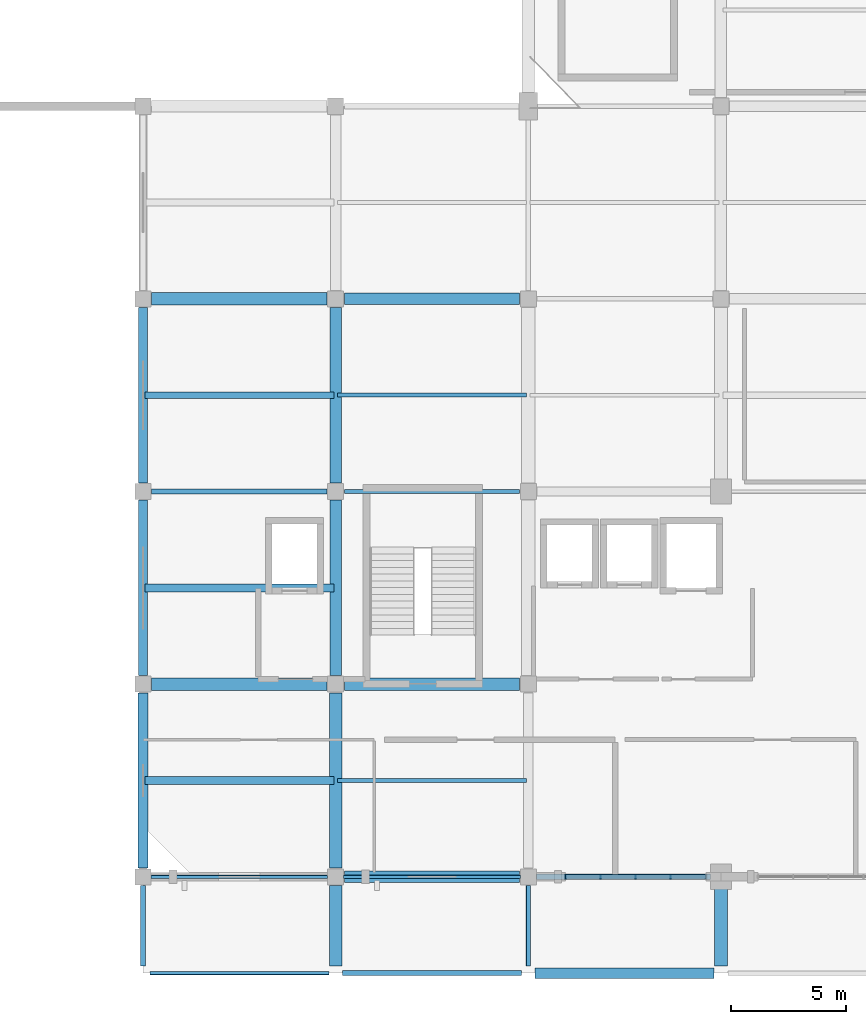
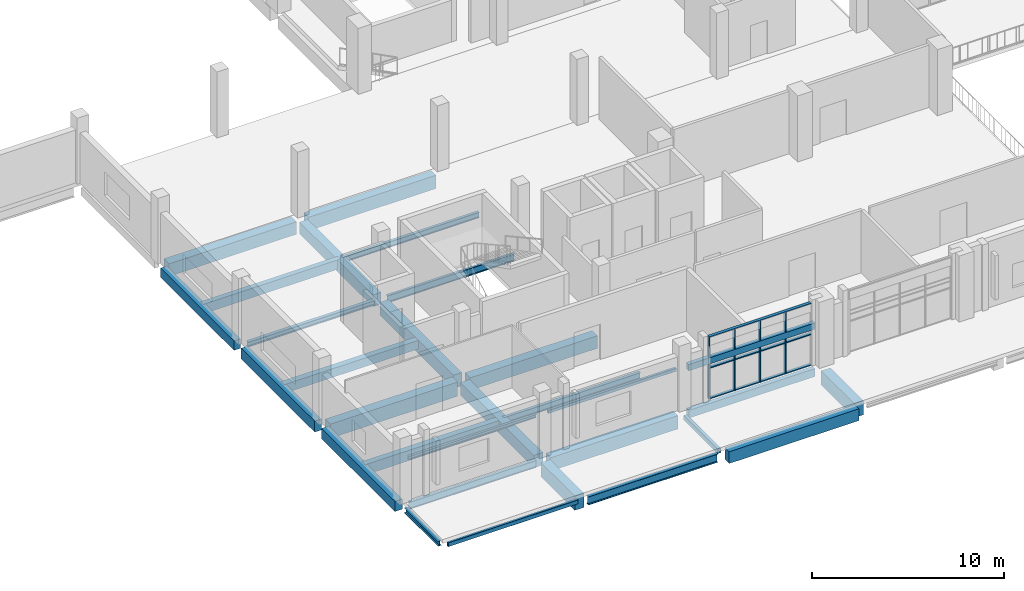
# One storey, part 9 of 59: 30 beams, 7 members, 1 element without a shape of its own.
"""IFC4 building model written with IfcOpenShell, lengths in metres."""

from ifc_helpers import new_model, si_unit, derived_unit, direction, frame, origin, origin_2d, place, context, subcontext, project, spatial, rectangle, hollow_rectangle, i_section, extrude, material, material_profile, profile_set, type_object, element, aggregate, save


model = new_model("IFC4")

# Units and contexts
model_context = context("Model", 3, precision=1e-05, world=origin(), true_north=direction((0.0, 1.0)))
body_context = subcontext(model_context, "Body", "Model", "MODEL_VIEW")
ifc_project = project(units=[si_unit("LENGTHUNIT", "METRE"), si_unit("AREAUNIT", "SQUARE_METRE"), si_unit("VOLUMEUNIT", "CUBIC_METRE"), si_unit("PLANEANGLEUNIT", "RADIAN"), si_unit("MASSUNIT", "GRAM", prefix="KILO"), derived_unit("THERMALTRANSMITTANCEUNIT", [(si_unit("POWERUNIT", "WATT"), 1), (si_unit("LENGTHUNIT", "METRE"), -2), (si_unit("THERMODYNAMICTEMPERATUREUNIT", "KELVIN"), -1)])], contexts=[model_context])

# Site, building, storey
site_placement = place(None, origin())
site = spatial("IfcSite", under=ifc_project, at=site_placement, CompositionType="ELEMENT")
building_placement = place(site_placement, origin())
building = spatial("IfcBuilding", under=site, at=building_placement, Name="Barrovel Congress Hotel", CompositionType="ELEMENT")
storey_placement = place(building_placement, frame((0.0, 0.0, 9.89990234375)))
storey = spatial("IfcBuildingStorey", under=building, at=storey_placement, Name="L02", CompositionType="ELEMENT", Elevation=9.89990234375)

# Beams
ifc_material_1 = material(Name="Concrete C40", Category="concrete")
ifc_material_profile_1 = material_profile(ifc_material_1, rectangle(XDim=0.25, YDim=0.39990234375, at=origin_2d()), Name="RC250x400")
ifc_profile_set_1 = profile_set([ifc_material_profile_1], Name="Concrete C40")
beam_type_1 = type_object("IfcBeamType", Name="BM-RC250x400", PredefinedType="LINTEL", material=ifc_profile_set_1)
beam_1_placement = place(storey_placement, frame((33.949951171875, 4.199951171875, 2.4501953125), z_axis=(1.0, 0.0, 0.0), x_axis=(0.0, 1.0, 0.0)))
element("IfcBeam", 1, at=beam_1_placement, inside=storey, type_object=beam_type_1, Name="LIN:L02:33.6-42.0", PredefinedType="LINTEL", context=body_context, shape_type="SweptSolid", body=[
    extrude(rectangle(XDim=0.25, YDim=0.39990234375, at=origin_2d()), origin(), (0.0, 0.0, 1.0), 7.60009765625),
])
ifc_material_profile_2 = material_profile(ifc_material_1, rectangle(XDim=0.25, YDim=0.5, at=origin_2d()), Name="RC250x500")
ifc_profile_set_2 = profile_set([ifc_material_profile_2], Name="Concrete C40")
beam_type_2 = type_object("IfcBeamType", Name="BM-RC250x500", PredefinedType="SPANDREL", material=ifc_profile_set_2)
beam_2_placement = place(storey_placement, frame((33.97509765625, 4.199951171875, -0.510009765625), z_axis=(1.0, 0.0, 0.0), x_axis=(0.0, 1.0, 0.0)))
element("IfcBeam", 2, at=beam_2_placement, inside=storey, type_object=beam_type_2, Name="BMX:L02:4.2:33.6-42.0", PredefinedType="SPANDREL", context=body_context, shape_type="SweptSolid", body=[
    extrude(rectangle(XDim=0.25, YDim=0.5, at=origin_2d()), origin(), (0.0, 0.0, 1.0), 7.574951171875),
])
ifc_material_profile_3 = material_profile(ifc_material_1, rectangle(XDim=0.300048828125, YDim=0.60009765625, at=origin_2d()), Name="RC300x600")
ifc_profile_set_3 = profile_set([ifc_material_profile_3], Name="Concrete C40")
beam_type_3 = type_object("IfcBeamType", Name="BM-RC300x600", PredefinedType="JOIST", material=ifc_profile_set_3)
beam_3_placement = place(storey_placement, frame((16.8798828125, 25.199951171875, -0.559814453125), z_axis=(1.0, 0.0, 0.0), x_axis=(0.0, 1.0, 0.0)))
element("IfcBeam", 3, at=beam_3_placement, inside=storey, type_object=beam_type_3, Name="JST:L02:16.8:25.2", PredefinedType="JOIST", context=body_context, shape_type="SweptSolid", body=[
    extrude(rectangle(XDim=0.300048828125, YDim=0.60009765625, at=origin_2d()), origin(), (0.0, 0.0, 1.0), 8.240234375),
])
ifc_material_profile_4 = material_profile(ifc_material_1, rectangle(XDim=0.35009765625, YDim=0.550048828125, at=origin_2d()), Name="RC350x550")
ifc_profile_set_4 = profile_set([ifc_material_profile_4], Name="Concrete C40")
beam_type_4 = type_object("IfcBeamType", Name="BM-RC350x550", PredefinedType="JOIST", material=ifc_profile_set_4)
beam_4_placement = place(storey_placement, frame((16.8798828125, 16.800048828125, -0.534912109375), z_axis=(1.0, 0.0, 0.0), x_axis=(0.0, 1.0, 0.0)))
element("IfcBeam", 4, at=beam_4_placement, inside=storey, type_object=beam_type_4, Name="JST:L02:16.8:16.8", PredefinedType="JOIST", context=body_context, shape_type="SweptSolid", body=[
    extrude(rectangle(XDim=0.35009765625, YDim=0.550048828125, at=origin_2d()), origin(), (0.0, 0.0, 1.0), 8.240234375),
])
ifc_material_profile_5 = material_profile(ifc_material_1, rectangle(XDim=0.35009765625, YDim=0.64990234375, at=origin_2d()), Name="RC350x650")
ifc_profile_set_5 = profile_set([ifc_material_profile_5], Name="Concrete C40")
beam_type_5 = type_object("IfcBeamType", Name="BM-RC350x650", PredefinedType="JOIST", material=ifc_profile_set_5)
beam_5_placement = place(storey_placement, frame((16.8798828125, 8.39990234375, -0.5849609375), z_axis=(1.0, 0.0, 0.0), x_axis=(0.0, 1.0, 0.0)))
element("IfcBeam", 5, at=beam_5_placement, inside=storey, type_object=beam_type_5, Name="JST:L02:16.8:8.4", PredefinedType="JOIST", context=body_context, shape_type="SweptSolid", body=[
    extrude(rectangle(XDim=0.35009765625, YDim=0.64990234375, at=origin_2d()), origin(), (0.0, 0.0, 1.0), 8.240234375),
])
ifc_material_profile_6 = material_profile(ifc_material_1, rectangle(XDim=0.39990234375, YDim=0.60009765625, at=origin_2d()), Name="RC400x600")
ifc_profile_set_6 = profile_set([ifc_material_profile_6], Name="Concrete C40")
beam_type_6 = type_object("IfcBeamType", Name="BM-RC400x600", PredefinedType="BEAM", material=ifc_profile_set_6)
beam_6_placement = place(storey_placement, frame((16.800048828125, 21.375, -0.559814453125), z_axis=(0.0, 1.0, 0.0), x_axis=(-1.0, 0.0, 0.0)))
element("IfcBeam", 6, at=beam_6_placement, inside=storey, type_object=beam_type_6, Name="BMY:L02:16.8:21.0-29.4", PredefinedType="BEAM", context=body_context, shape_type="SweptSolid", body=[
    extrude(rectangle(XDim=0.39990234375, YDim=0.60009765625, at=origin_2d()), origin(), (0.0, 0.0, 1.0), 7.64990234375),
])
ifc_material_profile_7 = material_profile(ifc_material_1, rectangle(XDim=0.39990234375, YDim=0.699951171875, at=origin_2d()), Name="RC400x700")
ifc_profile_set_7 = profile_set([ifc_material_profile_7], Name="Concrete C40")
beam_type_7 = type_object("IfcBeamType", Name="BM-RC400x700", PredefinedType="BEAM", material=ifc_profile_set_7)
beam_7_placement = place(storey_placement, frame((16.800048828125, 12.97509765625, -0.60986328125), z_axis=(0.0, 1.0, 0.0), x_axis=(-1.0, 0.0, 0.0)))
element("IfcBeam", 7, at=beam_7_placement, inside=storey, type_object=beam_type_7, Name="BMY:L02:16.8:12.6-21.0", PredefinedType="BEAM", context=body_context, shape_type="SweptSolid", body=[
    extrude(rectangle(XDim=0.39990234375, YDim=0.699951171875, at=origin_2d()), origin(), (0.0, 0.0, 1.0), 7.64990234375),
])
ifc_material_profile_8 = material_profile(ifc_material_1, rectangle(XDim=0.449951171875, YDim=0.64990234375, at=origin_2d()), Name="RC450x650")
ifc_profile_set_8 = profile_set([ifc_material_profile_8], Name="Concrete C40")
beam_type_8 = type_object("IfcBeamType", Name="BM-RC450x650", PredefinedType="BEAM", material=ifc_profile_set_8)
beam_8_placement = place(storey_placement, frame((16.800048828125, 4.574951171875, -0.5849609375), z_axis=(0.0, 1.0, 0.0), x_axis=(-1.0, 0.0, 0.0)))
element("IfcBeam", 8, at=beam_8_placement, inside=storey, type_object=beam_type_8, Name="BMY:L02:16.8:4.2-12.6", PredefinedType="BEAM", context=body_context, shape_type="SweptSolid", body=[
    extrude(rectangle(XDim=0.449951171875, YDim=0.64990234375, at=origin_2d()), origin(), (0.0, 0.0, 1.0), 7.650146484375),
])
ifc_material_profile_9 = material_profile(ifc_material_1, rectangle(XDim=0.449951171875, YDim=0.75, at=origin_2d()), Name="RC450x750")
ifc_profile_set_9 = profile_set([ifc_material_profile_9], Name="Concrete C40")
beam_type_9 = type_object("IfcBeamType", Name="BM-RC450x750", PredefinedType="BEAM", material=ifc_profile_set_9)
beam_9_placement = place(storey_placement, frame((33.89990234375, 0.0, -0.635009765625), z_axis=(1.0, 0.0, 0.0), x_axis=(0.0, 1.0, 0.0)))
element("IfcBeam", 9, at=beam_9_placement, inside=storey, type_object=beam_type_9, Name="BMX:L02:0.0:33.6-42.0", PredefinedType="BEAM", context=body_context, shape_type="SweptSolid", body=[
    extrude(rectangle(XDim=0.449951171875, YDim=0.75, at=origin_2d()), origin(), (0.0, 0.0, 1.0), 7.800048828125),
])
ifc_material_profile_10 = material_profile(ifc_material_1, rectangle(XDim=0.5, YDim=0.75, at=origin_2d()), Name="RC500x750")
ifc_profile_set_10 = profile_set([ifc_material_profile_10], Name="Concrete C40")
beam_type_10 = type_object("IfcBeamType", Name="BM-RC500x750", PredefinedType="BEAM", material=ifc_profile_set_10)
beam_10_placement = place(storey_placement, frame((25.199951171875, 21.375, -0.635009765625), z_axis=(0.0, 1.0, 0.0), x_axis=(-1.0, 0.0, 0.0)))
element("IfcBeam", 10, at=beam_10_placement, inside=storey, type_object=beam_type_10, Name="BMY:L02:25.2:21.0-29.4", PredefinedType="BEAM", context=body_context, shape_type="SweptSolid", body=[
    extrude(rectangle(XDim=0.5, YDim=0.75, at=origin_2d()), origin(), (0.0, 0.0, 1.0), 7.64990234375),
])
ifc_material_profile_11 = material_profile(ifc_material_1, rectangle(XDim=0.5, YDim=0.85009765625, at=origin_2d()), Name="RC500x850")
ifc_profile_set_11 = profile_set([ifc_material_profile_11], Name="Concrete C40")
beam_type_11 = type_object("IfcBeamType", Name="BM-RC500x850", PredefinedType="BEAM", material=ifc_profile_set_11)
for number, where, z_axis, x_axis, name in (
    (11, (25.574951171875, 4.199951171875, -0.684814453125), (1.0, 0.0, 0.0), (0.0, 1.0, 0.0), "BMX:L02:4.2:25.2-33.6"),
    (12, (25.574951171875, 29.39990234375, -0.684814453125), (1.0, 0.0, 0.0), (0.0, 1.0, 0.0), "BMX:L02:29.4:25.2-33.6"),
):
    element("IfcBeam", number, at=place(storey_placement, frame(where, z_axis=z_axis, x_axis=x_axis)), inside=storey, type_object=beam_type_11, Name=name, PredefinedType="BEAM", context=body_context, shape_type="SweptSolid", body=[
        extrude(rectangle(XDim=0.5, YDim=0.85009765625, at=origin_2d()), origin(), (0.0, 0.0, 1.0), 7.650146484375),
    ])
beam_11_placement = place(storey_placement, frame((25.199951171875, 12.97509765625, -0.684814453125), z_axis=(0.0, 1.0, 0.0), x_axis=(-1.0, 0.0, 0.0)))
element("IfcBeam", 13, at=beam_11_placement, inside=storey, type_object=beam_type_11, Name="BMY:L02:25.2:12.6-21.0", PredefinedType="BEAM", context=body_context, shape_type="SweptSolid", body=[
    extrude(rectangle(XDim=0.5, YDim=0.85009765625, at=origin_2d()), origin(), (0.0, 0.0, 1.0), 7.64990234375),
])
ifc_material_profile_12 = material_profile(ifc_material_1, rectangle(XDim=0.550048828125, YDim=0.800048828125, at=origin_2d()), Name="RC550x800")
ifc_profile_set_12 = profile_set([ifc_material_profile_12], Name="Concrete C40")
beam_type_12 = type_object("IfcBeamType", Name="BM-RC550x800", PredefinedType="BEAM", material=ifc_profile_set_12)
beam_12_placement = place(storey_placement, frame((25.574951171875, 12.60009765625, -0.659912109375), z_axis=(1.0, 0.0, 0.0), x_axis=(0.0, 1.0, 0.0)))
element("IfcBeam", 14, at=beam_12_placement, inside=storey, type_object=beam_type_12, Name="BMX:L02:12.6:25.2-33.6", PredefinedType="BEAM", context=body_context, shape_type="SweptSolid", body=[
    extrude(rectangle(XDim=0.550048828125, YDim=0.800048828125, at=origin_2d()), origin(), (0.0, 0.0, 1.0), 7.650146484375),
])
beam_13_placement = place(storey_placement, frame((17.175048828125, 29.39990234375, -0.659912109375), z_axis=(1.0, 0.0, 0.0), x_axis=(0.0, 1.0, 0.0)))
element("IfcBeam", 15, at=beam_13_placement, inside=storey, type_object=beam_type_12, Name="BMX:L02:29.4:16.8-25.2", PredefinedType="BEAM", context=body_context, shape_type="SweptSolid", body=[
    extrude(rectangle(XDim=0.550048828125, YDim=0.800048828125, at=origin_2d()), origin(), (0.0, 0.0, 1.0), 7.64990234375),
])
beam_14_placement = place(storey_placement, frame((25.199951171875, 4.574951171875, -0.659912109375), z_axis=(0.0, 1.0, 0.0), x_axis=(-1.0, 0.0, 0.0)))
element("IfcBeam", 16, at=beam_14_placement, inside=storey, type_object=beam_type_12, Name="BMY:L02:25.2:4.2-12.6", PredefinedType="BEAM", context=body_context, shape_type="SweptSolid", body=[
    extrude(rectangle(XDim=0.550048828125, YDim=0.800048828125, at=origin_2d()), origin(), (0.0, 0.0, 1.0), 7.650146484375),
])
ifc_material_profile_13 = material_profile(ifc_material_1, rectangle(XDim=0.550048828125, YDim=0.89990234375, at=origin_2d()), Name="RC550x900")
ifc_profile_set_13 = profile_set([ifc_material_profile_13], Name="Concrete C40")
beam_type_13 = type_object("IfcBeamType", Name="BM-RC550x900", PredefinedType="BEAM", material=ifc_profile_set_13)
beam_15_placement = place(storey_placement, frame((17.175048828125, 12.60009765625, -0.7099609375), z_axis=(1.0, 0.0, 0.0), x_axis=(0.0, 1.0, 0.0)))
element("IfcBeam", 17, at=beam_15_placement, inside=storey, type_object=beam_type_13, Name="BMX:L02:12.6:16.8-25.2", PredefinedType="BEAM", context=body_context, shape_type="SweptSolid", body=[
    extrude(rectangle(XDim=0.550048828125, YDim=0.89990234375, at=origin_2d()), origin(), (0.0, 0.0, 1.0), 7.64990234375),
])
beam_16_placement = place(storey_placement, frame((25.199951171875, 0.300048828125, -0.7099609375), z_axis=(0.0, 1.0, 0.0), x_axis=(-1.0, 0.0, 0.0)))
element("IfcBeam", 18, at=beam_16_placement, inside=storey, type_object=beam_type_13, Name="BMY:L02:25.2:0.0-4.2", PredefinedType="BEAM", context=body_context, shape_type="SweptSolid", body=[
    extrude(rectangle(XDim=0.550048828125, YDim=0.89990234375, at=origin_2d()), origin(), (0.0, 0.0, 1.0), 3.52490234375),
])
beam_17_placement = place(storey_placement, frame((42.0, 0.300048828125, -0.7099609375), z_axis=(0.0, 1.0, 0.0), x_axis=(-1.0, 0.0, 0.0)))
element("IfcBeam", 19, at=beam_17_placement, inside=storey, type_object=beam_type_13, Name="BMY:L02:42.0:0.0-4.2", PredefinedType="BEAM", context=body_context, shape_type="SweptSolid", body=[
    extrude(rectangle(XDim=0.550048828125, YDim=0.89990234375, at=origin_2d()), origin(), (0.0, 0.0, 1.0), 3.449951171875),
])

# Curtain wall, members
ifc_material_2 = material(Name="Anodised Aluminium Alloy 6063-T6", Category="aluminium")
curtain_wall_type = type_object("IfcCurtainWallType", Name="CW-ST-7200x3600", PredefinedType="USERDEFINED", material=ifc_material_2)
curtain_wall_placement = place(storey_placement, origin())
curtain_wall = element("IfcCurtainWall", 20, at=curtain_wall_placement, inside=storey, type_object=curtain_wall_type, Name="CW:L02:S:04", ObjectType="STICK CURTAIN WALL", PredefinedType="USERDEFINED")
ifc_material_profile_14 = material_profile(ifc_material_2, rectangle(XDim=0.06494140625, YDim=0.219970703125, at=origin_2d()), Name="AL-M65x220")
ifc_profile_set_14 = profile_set([ifc_material_profile_14], Name="Anodised Aluminium Alloy 6063-T6")
member_type_1 = type_object("IfcMemberType", Name="CWM-AL-M65x220", PredefinedType="MULLION", material=ifc_profile_set_14)
member_1_placement = place(storey_placement, frame((35.219970703125, 4.199951171875, 0.0), z_axis=(0.0, 0.0, 1.0), x_axis=(1.0, 0.0, 0.0)))
member_1 = element("IfcMember", 21, at=member_1_placement, type_object=member_type_1, Name="CW:L02:S:04:M0", PredefinedType="MULLION", context=body_context, shape_type="SweptSolid", body=[
    extrude(rectangle(XDim=0.06494140625, YDim=0.219970703125, at=origin_2d()), origin(), (0.0, 0.0, 1.0), 3.920166015625),
])
member_2_placement = place(storey_placement, frame((36.75, 4.199951171875, 0.0), z_axis=(0.0, 0.0, 1.0), x_axis=(1.0, 0.0, 0.0)))
member_2 = element("IfcMember", 22, at=member_2_placement, type_object=member_type_1, Name="CW:L02:S:04:M1", PredefinedType="MULLION", context=body_context, shape_type="SweptSolid", body=[
    extrude(rectangle(XDim=0.06494140625, YDim=0.219970703125, at=origin_2d()), origin(), (0.0, 0.0, 1.0), 3.920166015625),
])
member_3_placement = place(storey_placement, frame((38.280029296875, 4.199951171875, 0.0), z_axis=(0.0, 0.0, 1.0), x_axis=(1.0, 0.0, 0.0)))
member_3 = element("IfcMember", 23, at=member_3_placement, type_object=member_type_1, Name="CW:L02:S:04:M2", PredefinedType="MULLION", context=body_context, shape_type="SweptSolid", body=[
    extrude(rectangle(XDim=0.06494140625, YDim=0.219970703125, at=origin_2d()), origin(), (0.0, 0.0, 1.0), 3.920166015625),
])
member_4_placement = place(storey_placement, frame((39.81005859375, 4.199951171875, 0.0), z_axis=(0.0, 0.0, 1.0), x_axis=(1.0, 0.0, 0.0)))
member_4 = element("IfcMember", 24, at=member_4_placement, type_object=member_type_1, Name="CW:L02:S:04:M3", PredefinedType="MULLION", context=body_context, shape_type="SweptSolid", body=[
    extrude(rectangle(XDim=0.06494140625, YDim=0.219970703125, at=origin_2d()), origin(), (0.0, 0.0, 1.0), 3.920166015625),
])
ifc_material_profile_15 = material_profile(ifc_material_2, rectangle(XDim=0.179931640625, YDim=0.06494140625, at=origin_2d()), Name="AL-T65x180")
ifc_profile_set_15 = profile_set([ifc_material_profile_15], Name="Anodised Aluminium Alloy 6063-T6")
member_type_2 = type_object("IfcMemberType", Name="CWT-AL-T65x180", PredefinedType="USERDEFINED", material=ifc_profile_set_15)
member_5_placement = place(storey_placement, frame((35.219970703125, 4.199951171875, 0.0), z_axis=(1.0, 0.0, 0.0), x_axis=(0.0, 1.0, 0.0)))
member_5 = element("IfcMember", 25, at=member_5_placement, type_object=member_type_2, Name="CW:L02:S:04:T0", ObjectType="TRANSOM", PredefinedType="USERDEFINED", context=body_context, shape_type="SweptSolid", body=[
    extrude(rectangle(XDim=0.179931640625, YDim=0.06494140625, at=origin_2d()), origin(), (0.0, 0.0, 1.0), 6.1201171875),
])
member_6_placement = place(storey_placement, frame((35.219970703125, 4.199951171875, 1.960205078125), z_axis=(1.0, 0.0, 0.0), x_axis=(0.0, 1.0, 0.0)))
member_6 = element("IfcMember", 26, at=member_6_placement, type_object=member_type_2, Name="CW:L02:S:04:T1", ObjectType="TRANSOM", PredefinedType="USERDEFINED", context=body_context, shape_type="SweptSolid", body=[
    extrude(rectangle(XDim=0.179931640625, YDim=0.06494140625, at=origin_2d()), origin(), (0.0, 0.0, 1.0), 6.1201171875),
])
member_7_placement = place(storey_placement, frame((35.219970703125, 4.199951171875, 3.920166015625), z_axis=(1.0, 0.0, 0.0), x_axis=(0.0, 1.0, 0.0)))
member_7 = element("IfcMember", 27, at=member_7_placement, type_object=member_type_2, Name="CW:L02:S:04:T2", ObjectType="TRANSOM", PredefinedType="USERDEFINED", context=body_context, shape_type="SweptSolid", body=[
    extrude(rectangle(XDim=0.179931640625, YDim=0.06494140625, at=origin_2d()), origin(), (0.0, 0.0, 1.0), 6.1201171875),
])
aggregate(curtain_wall, [member_1, member_2, member_3, member_4, member_5, member_6, member_7])

# Beams
ifc_material_3 = material(Name="Steel ASTM A500 Grade C", Category="steel")
ifc_material_profile_16 = material_profile(ifc_material_3, hollow_rectangle(XDim=0.15234375, YDim=0.203125, WallThickness=0.0087890625, InnerFilletRadius=0.0087890625, OuterFilletRadius=0.017578125, at=origin_2d()), Name="HSS203x152x9.5")
ifc_profile_set_16 = profile_set([ifc_material_profile_16], Name="Steel ASTM A500 Grade C")
beam_type_14 = type_object("IfcBeamType", Name="SBM-HSS203x152x9.5", PredefinedType="LINTEL", material=ifc_profile_set_16)
beam_18_placement = place(storey_placement, frame((25.550048828125, 4.199951171875, 2.548583984375), z_axis=(1.0, 0.0, 0.0), x_axis=(0.0, 1.0, 0.0)))
element("IfcBeam", 28, at=beam_18_placement, inside=storey, type_object=beam_type_14, Name="LIN:L02:25.2-33.6", PredefinedType="LINTEL", context=body_context, shape_type="SweptSolid", body=[
    extrude(hollow_rectangle(XDim=0.15234375, YDim=0.203125, WallThickness=0.0087890625, InnerFilletRadius=0.0087890625, OuterFilletRadius=0.017578125, at=origin_2d()), origin(), (0.0, 0.0, 1.0), 7.699951171875),
])
ifc_material_profile_17 = material_profile(ifc_material_3, hollow_rectangle(XDim=0.15234375, YDim=0.25390625, WallThickness=0.0087890625, InnerFilletRadius=0.0087890625, OuterFilletRadius=0.017578125, at=origin_2d()), Name="HSS254x152x9.5")
ifc_profile_set_17 = profile_set([ifc_material_profile_17], Name="Steel ASTM A500 Grade C")
beam_type_15 = type_object("IfcBeamType", Name="SBM-HSS254x152x9.5", PredefinedType="SPANDREL", material=ifc_profile_set_17)
beam_19_placement = place(storey_placement, frame((17.10009765625, 0.0, -0.386962890625), z_axis=(1.0, 0.0, 0.0), x_axis=(0.0, 1.0, 0.0)))
element("IfcBeam", 29, at=beam_19_placement, inside=storey, type_object=beam_type_15, Name="BMX:L02:0.0:16.8-25.2", PredefinedType="SPANDREL", context=body_context, shape_type="SweptSolid", body=[
    extrude(hollow_rectangle(XDim=0.15234375, YDim=0.25390625, WallThickness=0.0087890625, InnerFilletRadius=0.0087890625, OuterFilletRadius=0.017578125, at=origin_2d()), origin(), (0.0, 0.0, 1.0), 7.7998046875),
])
ifc_material_profile_18 = material_profile(ifc_material_3, hollow_rectangle(XDim=0.203125, YDim=0.3046875, WallThickness=0.01171875, InnerFilletRadius=0.01171875, OuterFilletRadius=0.023681640625, at=origin_2d()), Name="HSS305x203x12.7")
ifc_profile_set_18 = profile_set([ifc_material_profile_18], Name="Steel ASTM A500 Grade C")
beam_type_16 = type_object("IfcBeamType", Name="SBM-HSS305x203x12.7", PredefinedType="SPANDREL", material=ifc_profile_set_18)
beam_20_placement = place(storey_placement, frame((33.60009765625, 0.300048828125, -0.412353515625), z_axis=(0.0, 1.0, 0.0), x_axis=(-1.0, 0.0, 0.0)))
element("IfcBeam", 30, at=beam_20_placement, inside=storey, type_object=beam_type_16, Name="BMY:L02:33.6:0.0-4.2", PredefinedType="SPANDREL", context=body_context, shape_type="SweptSolid", body=[
    extrude(hollow_rectangle(XDim=0.203125, YDim=0.3046875, WallThickness=0.01171875, InnerFilletRadius=0.01171875, OuterFilletRadius=0.023681640625, at=origin_2d()), origin(), (0.0, 0.0, 1.0), 3.52490234375),
])
ifc_material_4 = material(Name="Steel ASTM A992 Grade 50", Category="steel")
ifc_material_profile_19 = material_profile(ifc_material_4, i_section(OverallWidth=0.133056640625, OverallDepth=0.20703125, WebThickness=0.005859375, FlangeThickness=0.00830078125, FilletRadius=0.010009765625, at=origin_2d()), Name="W200x27")
ifc_profile_set_19 = profile_set([ifc_material_profile_19], Name="Steel ASTM A992 Grade 50")
beam_type_17 = type_object("IfcBeamType", Name="SBM-W200x27", PredefinedType="LINTEL", material=ifc_profile_set_19)
beam_21_placement = place(storey_placement, frame((17.14990234375, 4.199951171875, 2.546630859375), z_axis=(1.0, 0.0, 0.0), x_axis=(0.0, 1.0, 0.0)))
element("IfcBeam", 31, at=beam_21_placement, inside=storey, type_object=beam_type_17, Name="LIN:L02:16.8-25.2", PredefinedType="LINTEL", context=body_context, shape_type="SweptSolid", body=[
    extrude(i_section(OverallWidth=0.133056640625, OverallDepth=0.20703125, WebThickness=0.005859375, FlangeThickness=0.00830078125, FilletRadius=0.010009765625, at=origin_2d()), origin(), (0.0, 0.0, 1.0), 7.7001953125),
])
ifc_material_profile_20 = material_profile(ifc_material_4, i_section(OverallWidth=0.205078125, OverallDepth=0.31005859375, WebThickness=0.009521484375, FlangeThickness=0.016357421875, FilletRadius=0.012939453125, at=origin_2d()), Name="W310x74")
ifc_profile_set_20 = profile_set([ifc_material_profile_20], Name="Steel ASTM A992 Grade 50")
beam_type_18 = type_object("IfcBeamType", Name="SBM-W310x74", PredefinedType="SPANDREL", material=ifc_profile_set_20)
beam_22_placement = place(storey_placement, frame((17.175048828125, 21.0, -0.414794921875), z_axis=(1.0, 0.0, 0.0), x_axis=(0.0, 1.0, 0.0)))
element("IfcBeam", 32, at=beam_22_placement, inside=storey, type_object=beam_type_18, Name="BMX:L02:21.0:16.8-25.2", PredefinedType="SPANDREL", context=body_context, shape_type="SweptSolid", body=[
    extrude(i_section(OverallWidth=0.205078125, OverallDepth=0.31005859375, WebThickness=0.009521484375, FlangeThickness=0.016357421875, FilletRadius=0.012939453125, at=origin_2d()), origin(), (0.0, 0.0, 1.0), 7.64990234375),
])
beam_23_placement = place(storey_placement, frame((16.800048828125, 0.300048828125, -0.414794921875), z_axis=(0.0, 1.0, 0.0), x_axis=(-1.0, 0.0, 0.0)))
element("IfcBeam", 33, at=beam_23_placement, inside=storey, type_object=beam_type_18, Name="BMY:L02:16.8:0.0-4.2", PredefinedType="SPANDREL", context=body_context, shape_type="SweptSolid", body=[
    extrude(i_section(OverallWidth=0.205078125, OverallDepth=0.31005859375, WebThickness=0.009521484375, FlangeThickness=0.016357421875, FilletRadius=0.012939453125, at=origin_2d()), origin(), (0.0, 0.0, 1.0), 3.52490234375),
])
ifc_material_profile_21 = material_profile(ifc_material_4, i_section(OverallWidth=0.172119140625, OverallDepth=0.35791015625, WebThickness=0.0078125, FlangeThickness=0.01318359375, FilletRadius=0.011962890625, at=origin_2d()), Name="W360x57")
ifc_profile_set_21 = profile_set([ifc_material_profile_21], Name="Steel ASTM A992 Grade 50")
beam_type_19 = type_object("IfcBeamType", Name="SBM-W360x57", PredefinedType="JOIST", material=ifc_profile_set_21)
beam_24_placement = place(storey_placement, frame((25.280029296875, 25.199951171875, -0.43896484375), z_axis=(1.0, 0.0, 0.0), x_axis=(0.0, 1.0, 0.0)))
element("IfcBeam", 34, at=beam_24_placement, inside=storey, type_object=beam_type_19, Name="JST:L02:25.2:25.2", PredefinedType="JOIST", context=body_context, shape_type="SweptSolid", body=[
    extrude(i_section(OverallWidth=0.172119140625, OverallDepth=0.35791015625, WebThickness=0.0078125, FlangeThickness=0.01318359375, FilletRadius=0.011962890625, at=origin_2d()), origin(), (0.0, 0.0, 1.0), 8.239990234375),
])
ifc_material_profile_22 = material_profile(ifc_material_4, i_section(OverallWidth=0.177001953125, OverallDepth=0.403076171875, WebThickness=0.007568359375, FlangeThickness=0.010986328125, FilletRadius=0.011962890625, at=origin_2d()), Name="W410x53")
ifc_profile_set_22 = profile_set([ifc_material_profile_22], Name="Steel ASTM A992 Grade 50")
beam_type_20 = type_object("IfcBeamType", Name="SBM-W410x53", PredefinedType="JOIST", material=ifc_profile_set_22)
beam_25_placement = place(storey_placement, frame((25.280029296875, 8.39990234375, -0.46142578125), z_axis=(1.0, 0.0, 0.0), x_axis=(0.0, 1.0, 0.0)))
element("IfcBeam", 35, at=beam_25_placement, inside=storey, type_object=beam_type_20, Name="JST:L02:25.2:8.4", PredefinedType="JOIST", context=body_context, shape_type="SweptSolid", body=[
    extrude(i_section(OverallWidth=0.177001953125, OverallDepth=0.403076171875, WebThickness=0.007568359375, FlangeThickness=0.010986328125, FilletRadius=0.011962890625, at=origin_2d()), origin(), (0.0, 0.0, 1.0), 8.239990234375),
])
ifc_material_profile_23 = material_profile(ifc_material_4, i_section(OverallWidth=0.154052734375, OverallDepth=0.458984375, WebThickness=0.009033203125, FlangeThickness=0.015380859375, FilletRadius=0.012939453125, at=origin_2d()), Name="W460x68")
ifc_profile_set_23 = profile_set([ifc_material_profile_23], Name="Steel ASTM A992 Grade 50")
beam_type_21 = type_object("IfcBeamType", Name="SBM-W460x68", PredefinedType="BEAM", material=ifc_profile_set_23)
beam_26_placement = place(storey_placement, frame((17.175048828125, 4.199951171875, -0.489501953125), z_axis=(1.0, 0.0, 0.0), x_axis=(0.0, 1.0, 0.0)))
element("IfcBeam", 36, at=beam_26_placement, inside=storey, type_object=beam_type_21, Name="BMX:L02:4.2:16.8-25.2", PredefinedType="BEAM", context=body_context, shape_type="SweptSolid", body=[
    extrude(i_section(OverallWidth=0.154052734375, OverallDepth=0.458984375, WebThickness=0.009033203125, FlangeThickness=0.015380859375, FilletRadius=0.012939453125, at=origin_2d()), origin(), (0.0, 0.0, 1.0), 7.64990234375),
])
beam_27_placement = place(storey_placement, frame((25.574951171875, 21.0, -0.489501953125), z_axis=(1.0, 0.0, 0.0), x_axis=(0.0, 1.0, 0.0)))
element("IfcBeam", 37, at=beam_27_placement, inside=storey, type_object=beam_type_21, Name="BMX:L02:21.0:25.2-33.6", PredefinedType="BEAM", context=body_context, shape_type="SweptSolid", body=[
    extrude(i_section(OverallWidth=0.154052734375, OverallDepth=0.458984375, WebThickness=0.009033203125, FlangeThickness=0.015380859375, FilletRadius=0.012939453125, at=origin_2d()), origin(), (0.0, 0.0, 1.0), 7.650146484375),
])
ifc_material_profile_24 = material_profile(ifc_material_4, i_section(OverallWidth=0.208984375, OverallDepth=0.529052734375, WebThickness=0.009765625, FlangeThickness=0.013671875, FilletRadius=0.013916015625, at=origin_2d()), Name="W530x74")
ifc_profile_set_24 = profile_set([ifc_material_profile_24], Name="Steel ASTM A992 Grade 50")
beam_type_22 = type_object("IfcBeamType", Name="SBM-W530x74", PredefinedType="BEAM", material=ifc_profile_set_24)
beam_28_placement = place(storey_placement, frame((25.5, 0.0, -0.5244140625), z_axis=(1.0, 0.0, 0.0), x_axis=(0.0, 1.0, 0.0)))
element("IfcBeam", 38, at=beam_28_placement, inside=storey, type_object=beam_type_22, Name="BMX:L02:0.0:25.2-33.6", PredefinedType="BEAM", context=body_context, shape_type="SweptSolid", body=[
    extrude(i_section(OverallWidth=0.208984375, OverallDepth=0.529052734375, WebThickness=0.009765625, FlangeThickness=0.013671875, FilletRadius=0.013916015625, at=origin_2d()), origin(), (0.0, 0.0, 1.0), 7.800048828125),
])

save(model, "model.ifc")
